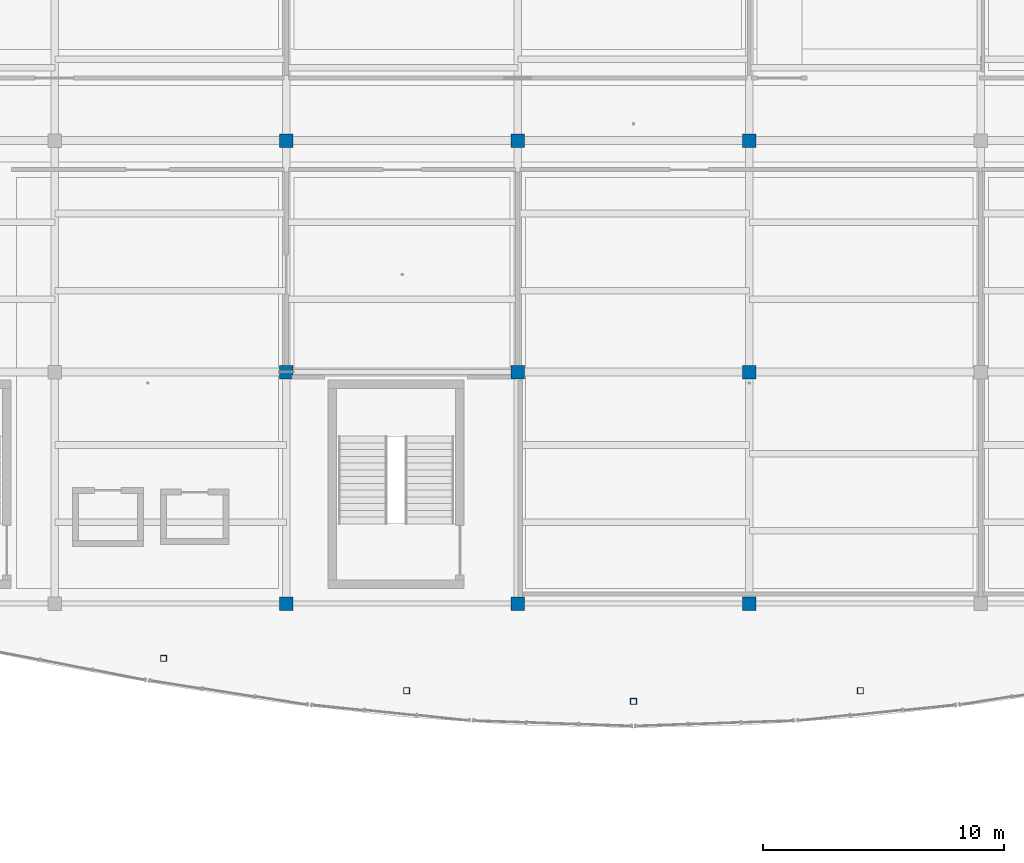
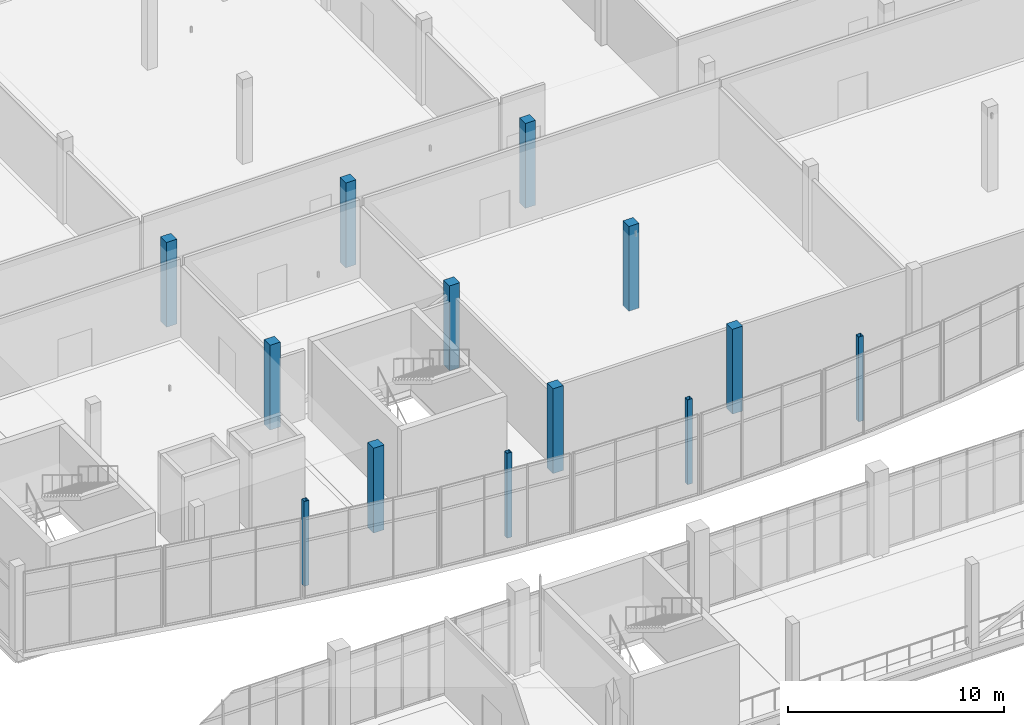
# One storey, part 8 of 157: 13 columns.
"""IFC4 building model written with IfcOpenShell, lengths in metres."""

from ifc_helpers import new_model, si_unit, direction, frame, origin, origin_2d, place, context, subcontext, project, spatial, rectangle, hollow_rectangle, extrude, material, material_profile, profile_set, type_object, element, save


model = new_model("IFC4")

# Units and contexts
model_context = context("Model", 3, precision=1e-05, world=origin(), true_north=direction((0.0, 1.0)))
body_context = subcontext(model_context, "Body", "Model", "MODEL_VIEW")
ifc_project = project(units=[si_unit("LENGTHUNIT", "METRE"), si_unit("AREAUNIT", "SQUARE_METRE"), si_unit("VOLUMEUNIT", "CUBIC_METRE"), si_unit("PLANEANGLEUNIT", "RADIAN"), si_unit("MASSUNIT", "GRAM", prefix="KILO")], contexts=[model_context])

# Site, building, storey
site_placement = place(None, origin())
site = spatial("IfcSite", under=ifc_project, at=site_placement, CompositionType="ELEMENT")
building_placement = place(site_placement, origin())
building = spatial("IfcBuilding", under=site, at=building_placement, Name="Chalmorin Arch Market", CompositionType="ELEMENT")
storey_placement = place(building_placement, frame((0.0, 0.0, 4.800048828125)))
storey = spatial("IfcBuildingStorey", under=building, at=storey_placement, Name="L01", CompositionType="ELEMENT", Elevation=4.800048828125)

# Columns
ifc_material_1 = material(Name="Concrete C40/50", Category="concrete")
ifc_material_profile_1 = material_profile(ifc_material_1, rectangle(XDim=0.550048828125, YDim=0.550048828125, at=origin_2d()), Name="RC550X550")
ifc_profile_set_1 = profile_set([ifc_material_profile_1], Name="Concrete C40/50")
column_type_1 = type_object("IfcColumnType", Name="MidConcreteColumn-550x550", PredefinedType="COLUMN", material=ifc_profile_set_1)
for number, where, z_axis, x_axis, name in (
    (1, (67.199951171875, 72.0, 0.0), (0.0, 0.0, 1.0), (1.0, 0.0, 0.0), "C-RC7-337"),
    (2, (67.199951171875, 81.60009765625, 0.0), (0.0, 0.0, 1.0), (1.0, 0.0, 0.0), "C-RC7-342"),
    (3, (67.199951171875, 91.199951171875, 0.0), (0.0, 0.0, 1.0), (1.0, 0.0, 0.0), "C-RC7-347"),
    (4, (76.800048828125, 72.0, 0.0), (0.0, 0.0, 1.0), (1.0, 0.0, 0.0), "C-RC7-392"),
    (5, (76.800048828125, 81.60009765625, 0.0), (0.0, 0.0, 1.0), (1.0, 0.0, 0.0), "C-RC7-397"),
    (6, (76.800048828125, 91.199951171875, 0.0), (0.0, 0.0, 1.0), (1.0, 0.0, 0.0), "C-RC7-402"),
    (7, (86.39990234375, 72.0, 0.0), (0.0, 0.0, 1.0), (1.0, 0.0, 0.0), "C-RC7-447"),
    (8, (86.39990234375, 81.60009765625, 0.0), (0.0, 0.0, 1.0), (1.0, 0.0, 0.0), "C-RC7-452"),
    (9, (86.39990234375, 91.199951171875, 0.0), (0.0, 0.0, 1.0), (1.0, 0.0, 0.0), "C-RC7-457"),
):
    element("IfcColumn", number, at=place(storey_placement, frame(where, z_axis=z_axis, x_axis=x_axis)), inside=storey, type_object=column_type_1, Name=name, PredefinedType="COLUMN", context=body_context, shape_type="SweptSolid", body=[
        extrude(rectangle(XDim=0.550048828125, YDim=0.550048828125, at=origin_2d()), origin(), (0.0, 0.0, 1.0), 4.800048828125),
    ])
ifc_material_2 = material(Name="Steel A500 Grade C", Category="steel")
ifc_material_profile_2 = material_profile(ifc_material_2, hollow_rectangle(XDim=0.25390625, YDim=0.25390625, WallThickness=0.01171875, at=origin_2d()), Name="HSS10X10X1/2")
ifc_profile_set_2 = profile_set([ifc_material_profile_2], Name="Steel A500 Grade C")
column_type_2 = type_object("IfcColumnType", Name="SteelTubeColumn-HSS10X10", PredefinedType="COLUMN", material=ifc_profile_set_2)
for number, where, z_axis, x_axis, name in (
    (10, (62.112060546875, 69.73095703125, 0.0), (0.0, 0.0, 1.0), (1.0, 0.0, 0.0), "C-HS2-709"),
    (11, (72.19189453125, 68.387939453125, 0.0), (0.0, 0.0, 1.0), (1.0, 0.0, 0.0), "C-HS2-717"),
    (12, (81.60009765625, 67.949951171875, 0.0), (0.0, 0.0, 1.0), (1.0, 0.0, 0.0), "C-HS2-725"),
    (13, (91.008056640625, 68.387939453125, 0.0), (0.0, 0.0, 1.0), (1.0, 0.0, 0.0), "C-HS2-733"),
):
    element("IfcColumn", number, at=place(storey_placement, frame(where, z_axis=z_axis, x_axis=x_axis)), inside=storey, type_object=column_type_2, Name=name, PredefinedType="COLUMN", context=body_context, shape_type="SweptSolid", body=[
        extrude(hollow_rectangle(XDim=0.25390625, YDim=0.25390625, WallThickness=0.01171875, at=origin_2d()), origin(), (0.0, 0.0, 1.0), 4.800048828125),
    ])

save(model, "model.ifc")
